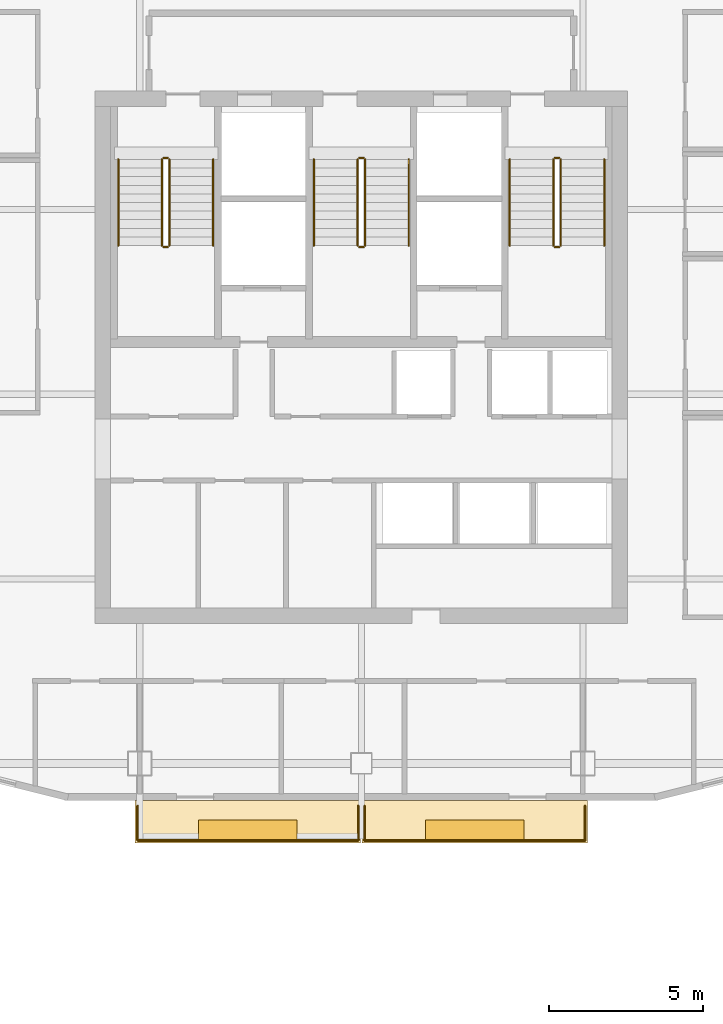
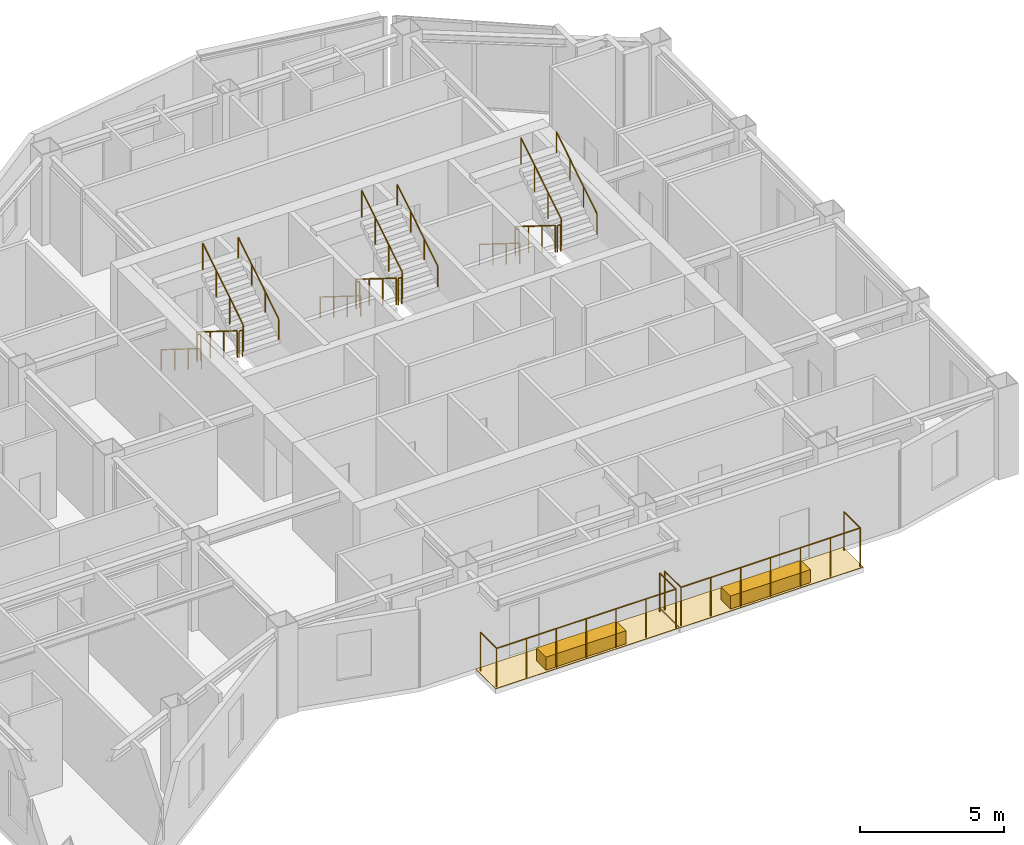
# One storey, part 10 of 11: 22 railings, 4 coverings.
"""IFC4 building model written with IfcOpenShell, lengths in metres."""

from ifc_helpers import new_model, si_unit, direction, frame, origin, origin_2d, place, context, subcontext, project, spatial, polyline, rectangle, circle, outline, extrude, material, layer, layer_set, type_object, element, save


model = new_model("IFC4")

# Units and contexts
model_context = context("Model", 3, precision=1e-05, world=origin(), true_north=direction((0.0, 1.0)))
body_context = subcontext(model_context, "Body", "Model", "MODEL_VIEW")
ifc_project = project(units=[si_unit("LENGTHUNIT", "METRE"), si_unit("AREAUNIT", "SQUARE_METRE"), si_unit("VOLUMEUNIT", "CUBIC_METRE"), si_unit("PLANEANGLEUNIT", "RADIAN"), si_unit("MASSUNIT", "GRAM", prefix="KILO")], contexts=[model_context])

# Site, building, storey
site_placement = place(None, origin())
site = spatial("IfcSite", under=ifc_project, at=site_placement, CompositionType="ELEMENT")
building_placement = place(site_placement, origin())
building = spatial("IfcBuilding", under=site, at=building_placement, Name="Haolan Belvedere Tower", CompositionType="ELEMENT")
storey_placement = place(building_placement, frame((0.0, 0.0, 250.60009765625)))
storey = spatial("IfcBuildingStorey", under=building, at=storey_placement, Name="L63", CompositionType="ELEMENT", Elevation=250.60009765625)

# Coverings
ifc_material_1 = material(Name="Engineered lightweight planted garden soil substrate", Category="masonry")
ifc_layer_1 = layer(ifc_material_1, 0.550048828125, Name="Engineered lightweight planted garden soil substrate")
ifc_layer_set_1 = layer_set([ifc_layer_1], Name="Engineered lightweight planted garden soil substrate")
covering_type_1 = type_object("IfcCoveringType", Name="COV-PLANT-550", PredefinedType="MEMBRANE", material=ifc_layer_set_1)
for number, where, z_axis, x_axis, name in (
    (1, (34.715087890625, 19.43994140625, 0.0), (0.0, 0.0, 1.0), (1.0, 0.0, 0.0), "L63 structural tree balcony PLANTER box 1"),
    (2, (42.0849609375, 19.43994140625, 0.0), (0.0, 0.0, 1.0), (1.0, 0.0, 0.0), "L63 structural tree balcony PLANTER box 2"),
):
    element("IfcCovering", number, at=place(storey_placement, frame(where, z_axis=z_axis, x_axis=x_axis)), inside=storey, type_object=covering_type_1, Name=name, PredefinedType="MEMBRANE", context=body_context, shape_type="SweptSolid", body=[
        extrude(rectangle(XDim=3.199951171875, YDim=0.64990234375, at=origin_2d()), origin(), (0.0, 0.0, 1.0), 0.550048828125),
    ])
ifc_material_2 = material(Name="Elastomeric waterproof roofing membrane and stone pavers", Category="masonry")
ifc_layer_2 = layer(ifc_material_2, 0.02001953125, Name="Elastomeric waterproof roofing membrane and stone pavers")
ifc_layer_set_2 = layer_set([ifc_layer_2], Name="Elastomeric waterproof roofing membrane and stone pavers")
covering_type_2 = type_object("IfcCoveringType", Name="COV-ROOF-20", PredefinedType="ROOFING", material=ifc_layer_set_2)
covering_1_placement = place(storey_placement, frame((0.0, 0.0, -0.02001953125)))
element("IfcCovering", 3, at=covering_1_placement, inside=storey, type_object=covering_type_2, Name="L63 tree-balcony waterproof membrane 1", PredefinedType="ROOFING", context=body_context, shape_type="SweptSolid", body=[
    extrude(outline(polyline([(31.050048828125, 19.02001953125), (38.3798828125, 19.02001953125), (38.3798828125, 20.39990234375), (31.050048828125, 20.39990234375), (31.050048828125, 19.02001953125)])), origin(), (0.0, 0.0, 1.0), 0.02001953125),
])
covering_2_placement = place(storey_placement, frame((0.0, 0.0, -0.02001953125)))
element("IfcCovering", 4, at=covering_2_placement, inside=storey, type_object=covering_type_2, Name="L63 tree-balcony waterproof membrane 2", PredefinedType="ROOFING", context=body_context, shape_type="SweptSolid", body=[
    extrude(outline(polyline([(38.419921875, 19.02001953125), (45.75, 19.02001953125), (45.75, 20.39990234375), (38.419921875, 20.39990234375), (38.419921875, 19.02001953125)])), origin(), (0.0, 0.0, 1.0), 0.02001953125),
])

# Railings
ifc_material_3 = material(Name="Brushed stainless steel 304", Category="steel")
railing_type_1 = type_object("IfcRailingType", Name="RL-STAIR-GRD-1150", PredefinedType="GUARDRAIL", material=ifc_material_3)
railing_1_placement = place(storey_placement, frame((31.919921875, 41.22998046875, 0.1748046875)))
element("IfcRailing", 5, at=railing_1_placement, inside=storey, type_object=railing_type_1, Name="L63 ST1 stair guard 1", PredefinedType="GUARDRAIL", context=body_context, shape_type="SweptSolid", body=[
    extrude(circle(Radius=0.02392578125, at=origin_2d()), frame((0.0, 0.0, 1.1259765625), z_axis=(0.0, -0.848002457836, 0.529992293815), x_axis=(1.0, 0.0, 0.0)), (0.0, 0.0, 1.0), 3.302001953125),
    extrude(circle(Radius=0.02099609375, at=origin_2d()), origin(), (0.0, 0.0, 1.0), 1.101806640625),
    extrude(circle(Radius=0.02099609375, at=origin_2d()), frame((0.0, -0.933349609375, 0.583251953125)), (0.0, 0.0, 1.0), 1.101806640625),
    extrude(circle(Radius=0.02099609375, at=origin_2d()), frame((0.0, -1.86669921875, 1.166748046875)), (0.0, 0.0, 1.0), 1.101806640625),
    extrude(circle(Radius=0.02099609375, at=origin_2d()), frame((0.0, -2.800048828125, 1.75)), (0.0, 0.0, 1.0), 1.101806640625),
])
railing_2_placement = place(storey_placement, frame((31.969970703125, 38.3798828125, 1.9248046875)))
element("IfcRailing", 6, at=railing_2_placement, inside=storey, type_object=railing_type_1, Name="L63 ST1 stair guard 2", PredefinedType="GUARDRAIL", context=body_context, shape_type="SweptSolid", body=[
    extrude(circle(Radius=0.02392578125, at=origin_2d()), frame((0.0, 0.0, 1.1259765625), z_axis=(1.0, 0.0, 0.0), x_axis=(0.0, 1.0, 0.0)), (0.0, 0.0, 1.0), 0.14013671875),
    extrude(circle(Radius=0.02099609375, at=origin_2d()), origin(), (0.0, 0.0, 1.0), 1.101806640625),
    extrude(circle(Radius=0.02099609375, at=origin_2d()), frame((0.14013671875, 0.0, 0.0)), (0.0, 0.0, 1.0), 1.101806640625),
])
railing_3_placement = place(storey_placement, frame((32.159912109375, 38.429931640625, 2.099853515625)))
element("IfcRailing", 7, at=railing_3_placement, inside=storey, type_object=railing_type_1, Name="L63 ST1 stair guard 3", PredefinedType="GUARDRAIL", context=body_context, shape_type="SweptSolid", body=[
    extrude(circle(Radius=0.02392578125, at=origin_2d()), frame((0.0, 0.0, 1.1259765625), z_axis=(0.0, 0.848002457836, 0.529992293815), x_axis=(-1.0, 0.0, 0.0)), (0.0, 0.0, 1.0), 3.302001953125),
    extrude(circle(Radius=0.02099609375, at=origin_2d()), origin(), (0.0, 0.0, 1.0), 1.101806640625),
    extrude(circle(Radius=0.02099609375, at=origin_2d()), frame((0.0, 0.933349609375, 0.583251953125)), (0.0, 0.0, 1.0), 1.101806640625),
    extrude(circle(Radius=0.02099609375, at=origin_2d()), frame((0.0, 1.86669921875, 1.166748046875)), (0.0, 0.0, 1.0), 1.101806640625),
    extrude(circle(Radius=0.02099609375, at=origin_2d()), frame((0.0, 2.800048828125, 1.75)), (0.0, 0.0, 1.0), 1.101806640625),
])
railing_4_placement = place(storey_placement, frame((31.969970703125, 41.280029296875, 0.0)))
element("IfcRailing", 8, at=railing_4_placement, inside=storey, type_object=railing_type_1, Name="L63 ST1 stair guard 4", PredefinedType="GUARDRAIL", context=body_context, shape_type="SweptSolid", body=[
    extrude(circle(Radius=0.02392578125, at=origin_2d()), frame((0.0, 0.0, 1.1259765625), z_axis=(1.0, 0.0, 0.0), x_axis=(0.0, 1.0, 0.0)), (0.0, 0.0, 1.0), 0.14013671875),
    extrude(circle(Radius=0.02099609375, at=origin_2d()), origin(), (0.0, 0.0, 1.0), 1.101806640625),
    extrude(circle(Radius=0.02099609375, at=origin_2d()), frame((0.14013671875, 0.0, 0.0)), (0.0, 0.0, 1.0), 1.101806640625),
])
railing_5_placement = place(storey_placement, frame((38.280029296875, 41.22998046875, 0.1748046875)))
element("IfcRailing", 9, at=railing_5_placement, inside=storey, type_object=railing_type_1, Name="L63 ST3 stair guard 1", PredefinedType="GUARDRAIL", context=body_context, shape_type="SweptSolid", body=[
    extrude(circle(Radius=0.02392578125, at=origin_2d()), frame((0.0, 0.0, 1.1259765625), z_axis=(0.0, -0.848002457836, 0.529992293815), x_axis=(1.0, 0.0, 0.0)), (0.0, 0.0, 1.0), 3.302001953125),
    extrude(circle(Radius=0.02099609375, at=origin_2d()), origin(), (0.0, 0.0, 1.0), 1.101806640625),
    extrude(circle(Radius=0.02099609375, at=origin_2d()), frame((0.0, -0.933349609375, 0.583251953125)), (0.0, 0.0, 1.0), 1.101806640625),
    extrude(circle(Radius=0.02099609375, at=origin_2d()), frame((0.0, -1.86669921875, 1.166748046875)), (0.0, 0.0, 1.0), 1.101806640625),
    extrude(circle(Radius=0.02099609375, at=origin_2d()), frame((0.0, -2.800048828125, 1.75)), (0.0, 0.0, 1.0), 1.101806640625),
])
railing_6_placement = place(storey_placement, frame((38.330078125, 38.3798828125, 1.9248046875)))
element("IfcRailing", 10, at=railing_6_placement, inside=storey, type_object=railing_type_1, Name="L63 ST3 stair guard 2", PredefinedType="GUARDRAIL", context=body_context, shape_type="SweptSolid", body=[
    extrude(circle(Radius=0.02392578125, at=origin_2d()), frame((0.0, 0.0, 1.1259765625), z_axis=(1.0, 0.0, 0.0), x_axis=(0.0, 1.0, 0.0)), (0.0, 0.0, 1.0), 0.139892578125),
    extrude(circle(Radius=0.02099609375, at=origin_2d()), origin(), (0.0, 0.0, 1.0), 1.101806640625),
    extrude(circle(Radius=0.02099609375, at=origin_2d()), frame((0.139892578125, 0.0, 0.0)), (0.0, 0.0, 1.0), 1.101806640625),
])
railing_7_placement = place(storey_placement, frame((38.52001953125, 38.429931640625, 2.099853515625)))
element("IfcRailing", 11, at=railing_7_placement, inside=storey, type_object=railing_type_1, Name="L63 ST3 stair guard 3", PredefinedType="GUARDRAIL", context=body_context, shape_type="SweptSolid", body=[
    extrude(circle(Radius=0.02392578125, at=origin_2d()), frame((0.0, 0.0, 1.1259765625), z_axis=(0.0, 0.848002457836, 0.529992293815), x_axis=(-1.0, 0.0, 0.0)), (0.0, 0.0, 1.0), 3.302001953125),
    extrude(circle(Radius=0.02099609375, at=origin_2d()), origin(), (0.0, 0.0, 1.0), 1.101806640625),
    extrude(circle(Radius=0.02099609375, at=origin_2d()), frame((0.0, 0.933349609375, 0.583251953125)), (0.0, 0.0, 1.0), 1.101806640625),
    extrude(circle(Radius=0.02099609375, at=origin_2d()), frame((0.0, 1.86669921875, 1.166748046875)), (0.0, 0.0, 1.0), 1.101806640625),
    extrude(circle(Radius=0.02099609375, at=origin_2d()), frame((0.0, 2.800048828125, 1.75)), (0.0, 0.0, 1.0), 1.101806640625),
])
railing_8_placement = place(storey_placement, frame((38.330078125, 41.280029296875, 0.0)))
element("IfcRailing", 12, at=railing_8_placement, inside=storey, type_object=railing_type_1, Name="L63 ST3 stair guard 4", PredefinedType="GUARDRAIL", context=body_context, shape_type="SweptSolid", body=[
    extrude(circle(Radius=0.02392578125, at=origin_2d()), frame((0.0, 0.0, 1.1259765625), z_axis=(1.0, 0.0, 0.0), x_axis=(0.0, 1.0, 0.0)), (0.0, 0.0, 1.0), 0.139892578125),
    extrude(circle(Radius=0.02099609375, at=origin_2d()), origin(), (0.0, 0.0, 1.0), 1.101806640625),
    extrude(circle(Radius=0.02099609375, at=origin_2d()), frame((0.139892578125, 0.0, 0.0)), (0.0, 0.0, 1.0), 1.101806640625),
])
railing_9_placement = place(storey_placement, frame((44.639892578125, 41.22998046875, 0.1748046875)))
element("IfcRailing", 13, at=railing_9_placement, inside=storey, type_object=railing_type_1, Name="L63 ST2 stair guard 1", PredefinedType="GUARDRAIL", context=body_context, shape_type="SweptSolid", body=[
    extrude(circle(Radius=0.02392578125, at=origin_2d()), frame((0.0, 0.0, 1.1259765625), z_axis=(0.0, -0.848002457836, 0.529992293815), x_axis=(1.0, 0.0, 0.0)), (0.0, 0.0, 1.0), 3.302001953125),
    extrude(circle(Radius=0.02099609375, at=origin_2d()), origin(), (0.0, 0.0, 1.0), 1.101806640625),
    extrude(circle(Radius=0.02099609375, at=origin_2d()), frame((0.0, -0.933349609375, 0.583251953125)), (0.0, 0.0, 1.0), 1.101806640625),
    extrude(circle(Radius=0.02099609375, at=origin_2d()), frame((0.0, -1.86669921875, 1.166748046875)), (0.0, 0.0, 1.0), 1.101806640625),
    extrude(circle(Radius=0.02099609375, at=origin_2d()), frame((0.0, -2.800048828125, 1.75)), (0.0, 0.0, 1.0), 1.101806640625),
])
railing_10_placement = place(storey_placement, frame((44.68994140625, 38.3798828125, 1.9248046875)))
element("IfcRailing", 14, at=railing_10_placement, inside=storey, type_object=railing_type_1, Name="L63 ST2 stair guard 2", PredefinedType="GUARDRAIL", context=body_context, shape_type="SweptSolid", body=[
    extrude(circle(Radius=0.02392578125, at=origin_2d()), frame((0.0, 0.0, 1.1259765625), z_axis=(1.0, 0.0, 0.0), x_axis=(0.0, 1.0, 0.0)), (0.0, 0.0, 1.0), 0.14013671875),
    extrude(circle(Radius=0.02099609375, at=origin_2d()), origin(), (0.0, 0.0, 1.0), 1.101806640625),
    extrude(circle(Radius=0.02099609375, at=origin_2d()), frame((0.14013671875, 0.0, 0.0)), (0.0, 0.0, 1.0), 1.101806640625),
])
railing_11_placement = place(storey_placement, frame((44.8798828125, 38.429931640625, 2.099853515625)))
element("IfcRailing", 15, at=railing_11_placement, inside=storey, type_object=railing_type_1, Name="L63 ST2 stair guard 3", PredefinedType="GUARDRAIL", context=body_context, shape_type="SweptSolid", body=[
    extrude(circle(Radius=0.02392578125, at=origin_2d()), frame((0.0, 0.0, 1.1259765625), z_axis=(0.0, 0.848002457836, 0.529992293815), x_axis=(-1.0, 0.0, 0.0)), (0.0, 0.0, 1.0), 3.302001953125),
    extrude(circle(Radius=0.02099609375, at=origin_2d()), origin(), (0.0, 0.0, 1.0), 1.101806640625),
    extrude(circle(Radius=0.02099609375, at=origin_2d()), frame((0.0, 0.933349609375, 0.583251953125)), (0.0, 0.0, 1.0), 1.101806640625),
    extrude(circle(Radius=0.02099609375, at=origin_2d()), frame((0.0, 1.86669921875, 1.166748046875)), (0.0, 0.0, 1.0), 1.101806640625),
    extrude(circle(Radius=0.02099609375, at=origin_2d()), frame((0.0, 2.800048828125, 1.75)), (0.0, 0.0, 1.0), 1.101806640625),
])
railing_12_placement = place(storey_placement, frame((44.68994140625, 41.280029296875, 0.0)))
element("IfcRailing", 16, at=railing_12_placement, inside=storey, type_object=railing_type_1, Name="L63 ST2 stair guard 4", PredefinedType="GUARDRAIL", context=body_context, shape_type="SweptSolid", body=[
    extrude(circle(Radius=0.02392578125, at=origin_2d()), frame((0.0, 0.0, 1.1259765625), z_axis=(1.0, 0.0, 0.0), x_axis=(0.0, 1.0, 0.0)), (0.0, 0.0, 1.0), 0.14013671875),
    extrude(circle(Radius=0.02099609375, at=origin_2d()), origin(), (0.0, 0.0, 1.0), 1.101806640625),
    extrude(circle(Radius=0.02099609375, at=origin_2d()), frame((0.14013671875, 0.0, 0.0)), (0.0, 0.0, 1.0), 1.101806640625),
])
railing_type_2 = type_object("IfcRailingType", Name="RL-STAIR-HND-900", PredefinedType="HANDRAIL", material=ifc_material_3)
railing_13_placement = place(storey_placement, frame((30.5, 41.22998046875, 0.1748046875)))
element("IfcRailing", 17, at=railing_13_placement, inside=storey, type_object=railing_type_2, Name="L63 ST1 stair handrail 1", PredefinedType="HANDRAIL", context=body_context, shape_type="SweptSolid", body=[
    extrude(circle(Radius=0.02392578125, at=origin_2d()), frame((0.0, 0.0, 0.8759765625), z_axis=(0.0, -0.848002457836, 0.529992293815), x_axis=(1.0, 0.0, 0.0)), (0.0, 0.0, 1.0), 3.302001953125),
    extrude(circle(Radius=0.02099609375, at=origin_2d()), origin(), (0.0, 0.0, 1.0), 0.851806640625),
    extrude(circle(Radius=0.02099609375, at=origin_2d()), frame((0.0, -0.933349609375, 0.583251953125)), (0.0, 0.0, 1.0), 0.851806640625),
    extrude(circle(Radius=0.02099609375, at=origin_2d()), frame((0.0, -1.86669921875, 1.166748046875)), (0.0, 0.0, 1.0), 0.851806640625),
    extrude(circle(Radius=0.02099609375, at=origin_2d()), frame((0.0, -2.800048828125, 1.75)), (0.0, 0.0, 1.0), 0.851806640625),
])
railing_14_placement = place(storey_placement, frame((33.580078125, 38.429931640625, 2.099853515625)))
element("IfcRailing", 18, at=railing_14_placement, inside=storey, type_object=railing_type_2, Name="L63 ST1 stair handrail 2", PredefinedType="HANDRAIL", context=body_context, shape_type="SweptSolid", body=[
    extrude(circle(Radius=0.02392578125, at=origin_2d()), frame((0.0, 0.0, 0.8759765625), z_axis=(0.0, 0.848002457836, 0.529992293815), x_axis=(-1.0, 0.0, 0.0)), (0.0, 0.0, 1.0), 3.302001953125),
    extrude(circle(Radius=0.02099609375, at=origin_2d()), origin(), (0.0, 0.0, 1.0), 0.851806640625),
    extrude(circle(Radius=0.02099609375, at=origin_2d()), frame((0.0, 0.933349609375, 0.583251953125)), (0.0, 0.0, 1.0), 0.851806640625),
    extrude(circle(Radius=0.02099609375, at=origin_2d()), frame((0.0, 1.86669921875, 1.166748046875)), (0.0, 0.0, 1.0), 0.851806640625),
    extrude(circle(Radius=0.02099609375, at=origin_2d()), frame((0.0, 2.800048828125, 1.75)), (0.0, 0.0, 1.0), 0.851806640625),
])
railing_15_placement = place(storey_placement, frame((36.860107421875, 41.22998046875, 0.1748046875)))
element("IfcRailing", 19, at=railing_15_placement, inside=storey, type_object=railing_type_2, Name="L63 ST3 stair handrail 1", PredefinedType="HANDRAIL", context=body_context, shape_type="SweptSolid", body=[
    extrude(circle(Radius=0.02392578125, at=origin_2d()), frame((0.0, 0.0, 0.8759765625), z_axis=(0.0, -0.848002457836, 0.529992293815), x_axis=(1.0, 0.0, 0.0)), (0.0, 0.0, 1.0), 3.302001953125),
    extrude(circle(Radius=0.02099609375, at=origin_2d()), origin(), (0.0, 0.0, 1.0), 0.851806640625),
    extrude(circle(Radius=0.02099609375, at=origin_2d()), frame((0.0, -0.933349609375, 0.583251953125)), (0.0, 0.0, 1.0), 0.851806640625),
    extrude(circle(Radius=0.02099609375, at=origin_2d()), frame((0.0, -1.86669921875, 1.166748046875)), (0.0, 0.0, 1.0), 0.851806640625),
    extrude(circle(Radius=0.02099609375, at=origin_2d()), frame((0.0, -2.800048828125, 1.75)), (0.0, 0.0, 1.0), 0.851806640625),
])
railing_16_placement = place(storey_placement, frame((39.93994140625, 38.429931640625, 2.099853515625)))
element("IfcRailing", 20, at=railing_16_placement, inside=storey, type_object=railing_type_2, Name="L63 ST3 stair handrail 2", PredefinedType="HANDRAIL", context=body_context, shape_type="SweptSolid", body=[
    extrude(circle(Radius=0.02392578125, at=origin_2d()), frame((0.0, 0.0, 0.8759765625), z_axis=(0.0, 0.848002457836, 0.529992293815), x_axis=(-1.0, 0.0, 0.0)), (0.0, 0.0, 1.0), 3.302001953125),
    extrude(circle(Radius=0.02099609375, at=origin_2d()), origin(), (0.0, 0.0, 1.0), 0.851806640625),
    extrude(circle(Radius=0.02099609375, at=origin_2d()), frame((0.0, 0.933349609375, 0.583251953125)), (0.0, 0.0, 1.0), 0.851806640625),
    extrude(circle(Radius=0.02099609375, at=origin_2d()), frame((0.0, 1.86669921875, 1.166748046875)), (0.0, 0.0, 1.0), 0.851806640625),
    extrude(circle(Radius=0.02099609375, at=origin_2d()), frame((0.0, 2.800048828125, 1.75)), (0.0, 0.0, 1.0), 0.851806640625),
])
railing_17_placement = place(storey_placement, frame((43.219970703125, 41.22998046875, 0.1748046875)))
element("IfcRailing", 21, at=railing_17_placement, inside=storey, type_object=railing_type_2, Name="L63 ST2 stair handrail 1", PredefinedType="HANDRAIL", context=body_context, shape_type="SweptSolid", body=[
    extrude(circle(Radius=0.02392578125, at=origin_2d()), frame((0.0, 0.0, 0.8759765625), z_axis=(0.0, -0.848002457836, 0.529992293815), x_axis=(1.0, 0.0, 0.0)), (0.0, 0.0, 1.0), 3.302001953125),
    extrude(circle(Radius=0.02099609375, at=origin_2d()), origin(), (0.0, 0.0, 1.0), 0.851806640625),
    extrude(circle(Radius=0.02099609375, at=origin_2d()), frame((0.0, -0.933349609375, 0.583251953125)), (0.0, 0.0, 1.0), 0.851806640625),
    extrude(circle(Radius=0.02099609375, at=origin_2d()), frame((0.0, -1.86669921875, 1.166748046875)), (0.0, 0.0, 1.0), 0.851806640625),
    extrude(circle(Radius=0.02099609375, at=origin_2d()), frame((0.0, -2.800048828125, 1.75)), (0.0, 0.0, 1.0), 0.851806640625),
])
railing_18_placement = place(storey_placement, frame((46.300048828125, 38.429931640625, 2.099853515625)))
element("IfcRailing", 22, at=railing_18_placement, inside=storey, type_object=railing_type_2, Name="L63 ST2 stair handrail 2", PredefinedType="HANDRAIL", context=body_context, shape_type="SweptSolid", body=[
    extrude(circle(Radius=0.02392578125, at=origin_2d()), frame((0.0, 0.0, 0.8759765625), z_axis=(0.0, 0.848002457836, 0.529992293815), x_axis=(-1.0, 0.0, 0.0)), (0.0, 0.0, 1.0), 3.302001953125),
    extrude(circle(Radius=0.02099609375, at=origin_2d()), origin(), (0.0, 0.0, 1.0), 0.851806640625),
    extrude(circle(Radius=0.02099609375, at=origin_2d()), frame((0.0, 0.933349609375, 0.583251953125)), (0.0, 0.0, 1.0), 0.851806640625),
    extrude(circle(Radius=0.02099609375, at=origin_2d()), frame((0.0, 1.86669921875, 1.166748046875)), (0.0, 0.0, 1.0), 0.851806640625),
    extrude(circle(Radius=0.02099609375, at=origin_2d()), frame((0.0, 2.800048828125, 1.75)), (0.0, 0.0, 1.0), 0.851806640625),
])
ifc_material_4 = material(Name="Anodised aluminium and laminated glass balustrade", Category="aluminium")
railing_type_3 = type_object("IfcRailingType", Name="RL-TER-BAL-1150", PredefinedType="BALUSTRADE", material=ifc_material_4)
railing_19_placement = place(storey_placement, frame((31.1298828125, 19.10009765625, 0.0)))
element("IfcRailing", 23, at=railing_19_placement, inside=storey, type_object=railing_type_3, Name="L63 outdoor perimeter balustrade BAL-L63-1-1", PredefinedType="BALUSTRADE", context=body_context, shape_type="SweptSolid", body=[
    extrude(circle(Radius=0.02392578125, at=origin_2d()), frame((0.0, 0.0, 1.6259765625), z_axis=(0.0, 1.0, 0.0), x_axis=(-1.0, 0.0, 0.0)), (0.0, 0.0, 1.0), 1.119873046875),
    extrude(circle(Radius=0.02099609375, at=origin_2d()), origin(), (0.0, 0.0, 1.0), 1.601806640625),
    extrude(circle(Radius=0.02099609375, at=origin_2d()), frame((0.0, 1.119873046875, 0.0)), (0.0, 0.0, 1.0), 1.601806640625),
])
railing_20_placement = place(storey_placement, frame((38.300048828125, 20.219970703125, 0.0)))
element("IfcRailing", 24, at=railing_20_placement, inside=storey, type_object=railing_type_3, Name="L63 outdoor perimeter balustrade BAL-L63-1-2", PredefinedType="BALUSTRADE", context=body_context, shape_type="SweptSolid", body=[
    extrude(circle(Radius=0.02392578125, at=origin_2d()), frame((0.0, 0.0, 1.6259765625), z_axis=(0.0, -1.0, 0.0), x_axis=(1.0, 0.0, 0.0)), (0.0, 0.0, 1.0), 1.119873046875),
    extrude(circle(Radius=0.02392578125, at=origin_2d()), frame((0.0, -1.119873046875, 1.6259765625), z_axis=(-1.0, 0.0, 0.0), x_axis=(0.0, -1.0, 0.0)), (0.0, 0.0, 1.0), 7.170166015625),
    extrude(circle(Radius=0.02099609375, at=origin_2d()), origin(), (0.0, 0.0, 1.0), 1.601806640625),
    extrude(circle(Radius=0.02099609375, at=origin_2d()), frame((0.0, -1.119873046875, 0.0)), (0.0, 0.0, 1.0), 1.601806640625),
    extrude(circle(Radius=0.02099609375, at=origin_2d()), frame((-1.195068359375, -1.119873046875, 0.0)), (0.0, 0.0, 1.0), 1.601806640625),
    extrude(circle(Radius=0.02099609375, at=origin_2d()), frame((-2.39013671875, -1.119873046875, 0.0)), (0.0, 0.0, 1.0), 1.601806640625),
    extrude(circle(Radius=0.02099609375, at=origin_2d()), frame((-3.5849609375, -1.119873046875, 0.0)), (0.0, 0.0, 1.0), 1.601806640625),
    extrude(circle(Radius=0.02099609375, at=origin_2d()), frame((-4.780029296875, -1.119873046875, 0.0)), (0.0, 0.0, 1.0), 1.601806640625),
    extrude(circle(Radius=0.02099609375, at=origin_2d()), frame((-5.97509765625, -1.119873046875, 0.0)), (0.0, 0.0, 1.0), 1.601806640625),
    extrude(circle(Radius=0.02099609375, at=origin_2d()), frame((-7.170166015625, -1.119873046875, 0.0)), (0.0, 0.0, 1.0), 1.601806640625),
])
railing_21_placement = place(storey_placement, frame((38.5, 19.10009765625, 0.0)))
element("IfcRailing", 25, at=railing_21_placement, inside=storey, type_object=railing_type_3, Name="L63 outdoor perimeter balustrade BAL-L63-2-1", PredefinedType="BALUSTRADE", context=body_context, shape_type="SweptSolid", body=[
    extrude(circle(Radius=0.02392578125, at=origin_2d()), frame((0.0, 0.0, 1.6259765625), z_axis=(0.0, 1.0, 0.0), x_axis=(-1.0, 0.0, 0.0)), (0.0, 0.0, 1.0), 1.119873046875),
    extrude(circle(Radius=0.02099609375, at=origin_2d()), origin(), (0.0, 0.0, 1.0), 1.601806640625),
    extrude(circle(Radius=0.02099609375, at=origin_2d()), frame((0.0, 1.119873046875, 0.0)), (0.0, 0.0, 1.0), 1.601806640625),
])
railing_22_placement = place(storey_placement, frame((45.669921875, 20.219970703125, 0.0)))
element("IfcRailing", 26, at=railing_22_placement, inside=storey, type_object=railing_type_3, Name="L63 outdoor perimeter balustrade BAL-L63-2-2", PredefinedType="BALUSTRADE", context=body_context, shape_type="SweptSolid", body=[
    extrude(circle(Radius=0.02392578125, at=origin_2d()), frame((0.0, 0.0, 1.6259765625), z_axis=(0.0, -1.0, 0.0), x_axis=(1.0, 0.0, 0.0)), (0.0, 0.0, 1.0), 1.119873046875),
    extrude(circle(Radius=0.02392578125, at=origin_2d()), frame((0.0, -1.119873046875, 1.6259765625), z_axis=(-1.0, 0.0, 0.0), x_axis=(0.0, -1.0, 0.0)), (0.0, 0.0, 1.0), 7.169921875),
    extrude(circle(Radius=0.02099609375, at=origin_2d()), origin(), (0.0, 0.0, 1.0), 1.601806640625),
    extrude(circle(Radius=0.02099609375, at=origin_2d()), frame((0.0, -1.119873046875, 0.0)), (0.0, 0.0, 1.0), 1.601806640625),
    extrude(circle(Radius=0.02099609375, at=origin_2d()), frame((-1.195068359375, -1.119873046875, 0.0)), (0.0, 0.0, 1.0), 1.601806640625),
    extrude(circle(Radius=0.02099609375, at=origin_2d()), frame((-2.389892578125, -1.119873046875, 0.0)), (0.0, 0.0, 1.0), 1.601806640625),
    extrude(circle(Radius=0.02099609375, at=origin_2d()), frame((-3.5849609375, -1.119873046875, 0.0)), (0.0, 0.0, 1.0), 1.601806640625),
    extrude(circle(Radius=0.02099609375, at=origin_2d()), frame((-4.780029296875, -1.119873046875, 0.0)), (0.0, 0.0, 1.0), 1.601806640625),
    extrude(circle(Radius=0.02099609375, at=origin_2d()), frame((-5.974853515625, -1.119873046875, 0.0)), (0.0, 0.0, 1.0), 1.601806640625),
    extrude(circle(Radius=0.02099609375, at=origin_2d()), frame((-7.169921875, -1.119873046875, 0.0)), (0.0, 0.0, 1.0), 1.601806640625),
])

save(model, "model.ifc")
